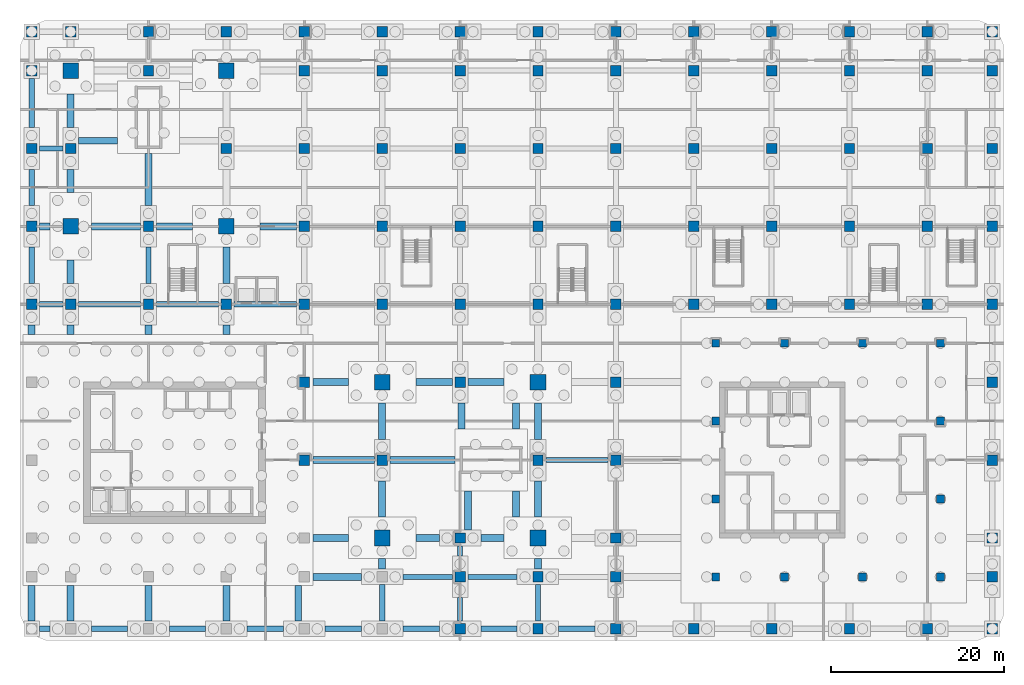
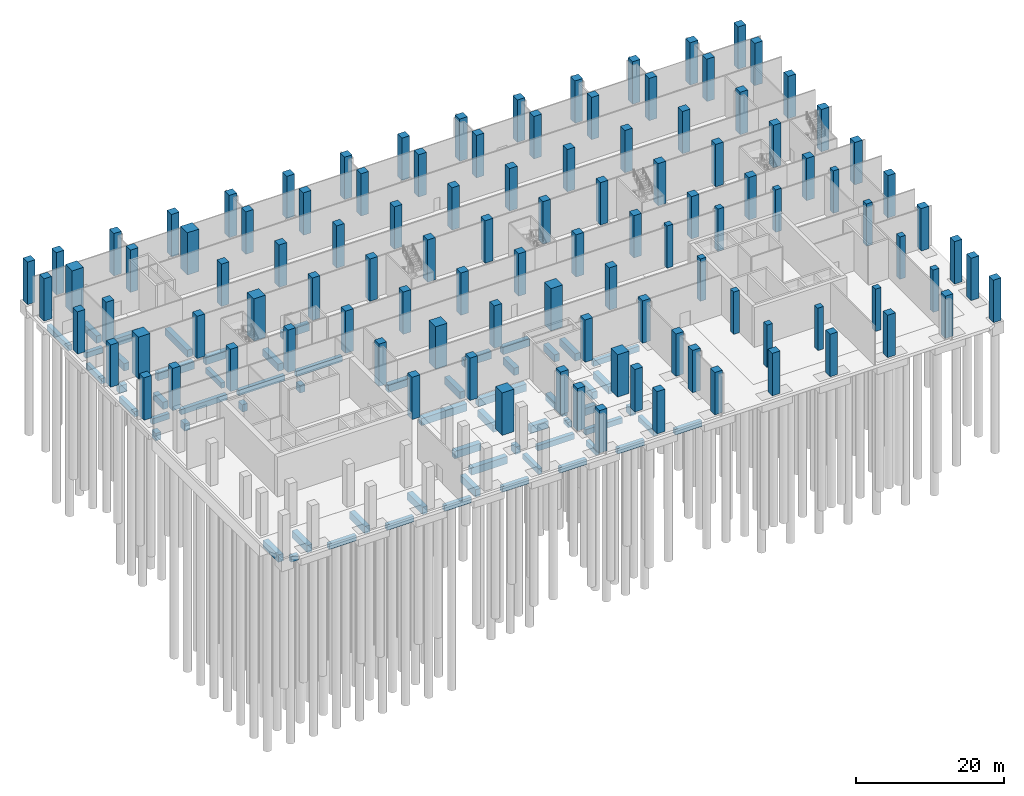
# One storey, part 4 of 23: 109 columns, 62 beams.
"""IFC4 building model written with IfcOpenShell, lengths in metres."""

from ifc_helpers import new_model, si_unit, direction, frame, origin, origin_2d, place, context, subcontext, project, spatial, rectangle, extrude, material, material_profile, profile_set, type_object, element, save


model = new_model("IFC4")

# Units and contexts
model_context = context("Model", 3, precision=1e-05, world=origin(), true_north=direction((0.0, 1.0)))
body_context = subcontext(model_context, "Body", "Model", "MODEL_VIEW")
ifc_project = project(units=[si_unit("LENGTHUNIT", "METRE"), si_unit("AREAUNIT", "SQUARE_METRE"), si_unit("VOLUMEUNIT", "CUBIC_METRE"), si_unit("PLANEANGLEUNIT", "RADIAN"), si_unit("MASSUNIT", "GRAM", prefix="KILO")], contexts=[model_context])

# Site, building, storey
site_placement = place(None, origin())
site = spatial("IfcSite", under=ifc_project, at=site_placement, CompositionType="ELEMENT")
building_placement = place(site_placement, origin())
building = spatial("IfcBuilding", under=site, at=building_placement, Name="Plateau Cross Towers", CompositionType="ELEMENT")
storey_placement = place(building_placement, frame((0.0, 0.0, -7.0)))
storey = spatial("IfcBuildingStorey", under=building, at=storey_placement, Name="B1", CompositionType="ELEMENT", Elevation=-7.0)

# Columns
ifc_material_1 = material(Name="Concrete C60/75", Category="concrete")
ifc_material_profile_1 = material_profile(ifc_material_1, rectangle(XDim=0.89990234375, YDim=0.89990234375, at=origin_2d()), Name="RC 900x900")
ifc_profile_set_1 = profile_set([ifc_material_profile_1], Name="Concrete C60/75")
column_type_1 = type_object("IfcColumnType", Name="Office column RC 900x900", PredefinedType="COLUMN", material=ifc_profile_set_1)
for number, where, z_axis, x_axis, name in (
    (1, (74.550048828125, -4.5, 0.0), (0.0, 0.0, 1.0), (1.0, 0.0, 0.0), "B-C746_-45 B1"),
    (2, (82.5, -4.5, 0.0), (0.0, 0.0, 1.0), (1.0, 0.0, 0.0), "B-C825_-45 B1"),
    (3, (91.5, -4.5, 0.0), (0.0, 0.0, 1.0), (1.0, 0.0, 0.0), "B-C915_-45 B1"),
    (4, (100.5, -4.5, 0.0), (0.0, 0.0, 1.0), (1.0, 0.0, 0.0), "B-C1005_-45 B1"),
    (5, (100.5, 4.5, 0.0), (0.0, 0.0, 1.0), (1.0, 0.0, 0.0), "B-C1005_45 B1"),
    (6, (100.5, 13.5, 0.0), (0.0, 0.0, 1.0), (1.0, 0.0, 0.0), "B-C1005_135 B1"),
    (7, (100.5, 22.5, 0.0), (0.0, 0.0, 1.0), (1.0, 0.0, 0.0), "B-C1005_225 B1"),
    (8, (91.5, 22.5, 0.0), (0.0, 0.0, 1.0), (1.0, 0.0, 0.0), "B-C915_225 B1"),
    (9, (82.5, 22.5, 0.0), (0.0, 0.0, 1.0), (1.0, 0.0, 0.0), "B-C825_225 B1"),
    (10, (74.550048828125, 22.5, 0.0), (0.0, 0.0, 1.0), (1.0, 0.0, 0.0), "B-C746_225 B1"),
    (11, (74.550048828125, 13.5, 0.0), (0.0, 0.0, 1.0), (1.0, 0.0, 0.0), "B-C746_135 B1"),
    (12, (74.550048828125, 4.5, 0.0), (0.0, 0.0, 1.0), (1.0, 0.0, 0.0), "B-C746_45 B1"),
):
    element("IfcColumn", number, at=place(storey_placement, frame(where, z_axis=z_axis, x_axis=x_axis)), inside=storey, type_object=column_type_1, Name=name, PredefinedType="COLUMN", context=body_context, shape_type="SweptSolid", body=[
        extrude(rectangle(XDim=0.89990234375, YDim=0.89990234375, at=origin_2d()), origin(), (0.0, 0.0, 1.0), 7.0),
    ])
ifc_material_profile_2 = material_profile(ifc_material_1, rectangle(XDim=1.199951171875, YDim=1.199951171875, at=origin_2d()), Name="RC 1200x1200")
ifc_profile_set_2 = profile_set([ifc_material_profile_2], Name="Concrete C60/75")
column_type_2 = type_object("IfcColumnType", Name="Podium column RC 1200x1200", PredefinedType="COLUMN", material=ifc_profile_set_2)
for number, where, z_axis, x_axis, name in (
    (13, (-4.5, 27.0, 0.0), (0.0, 0.0, 1.0), (1.0, 0.0, 0.0), "P-C-45_270 B1"),
    (14, (-4.5, 36.0, 0.0), (0.0, 0.0, 1.0), (1.0, 0.0, 0.0), "P-C-45_360 B1"),
    (15, (-4.5, 45.0, 0.0), (0.0, 0.0, 1.0), (1.0, 0.0, 0.0), "P-C-45_450 B1"),
    (16, (-4.5, 54.0, 0.0), (0.0, 0.0, 1.0), (1.0, 0.0, 0.0), "P-C-45_540 B1"),
    (17, (-4.5, 58.5, 0.0), (0.0, 0.0, 1.0), (1.0, 0.0, 0.0), "P-C-45_585 B1"),
    (18, (0.0, 27.0, 0.0), (0.0, 0.0, 1.0), (1.0, 0.0, 0.0), "P-C0_270 B1"),
    (19, (0.0, 45.0, 0.0), (0.0, 0.0, 1.0), (1.0, 0.0, 0.0), "P-C0_450 B1"),
    (20, (0.0, 58.5, 0.0), (0.0, 0.0, 1.0), (1.0, 0.0, 0.0), "P-C0_585 B1"),
    (21, (9.0, 27.0, 0.0), (0.0, 0.0, 1.0), (1.0, 0.0, 0.0), "P-C90_270 B1"),
    (22, (9.0, 36.0, 0.0), (0.0, 0.0, 1.0), (1.0, 0.0, 0.0), "P-C90_360 B1"),
    (23, (9.0, 54.0, 0.0), (0.0, 0.0, 1.0), (1.0, 0.0, 0.0), "P-C90_540 B1"),
    (24, (9.0, 58.5, 0.0), (0.0, 0.0, 1.0), (1.0, 0.0, 0.0), "P-C90_585 B1"),
    (25, (18.0, 27.0, 0.0), (0.0, 0.0, 1.0), (1.0, 0.0, 0.0), "P-C180_270 B1"),
    (26, (18.0, 45.0, 0.0), (0.0, 0.0, 1.0), (1.0, 0.0, 0.0), "P-C180_450 B1"),
    (27, (18.0, 58.5, 0.0), (0.0, 0.0, 1.0), (1.0, 0.0, 0.0), "P-C180_585 B1"),
    (28, (27.0, 9.0, 0.0), (0.0, 0.0, 1.0), (1.0, 0.0, 0.0), "P-C270_90 B1"),
    (29, (27.0, 18.0, 0.0), (0.0, 0.0, 1.0), (1.0, 0.0, 0.0), "P-C270_180 B1"),
    (30, (27.0, 27.0, 0.0), (0.0, 0.0, 1.0), (1.0, 0.0, 0.0), "P-C270_270 B1"),
    (31, (27.0, 36.0, 0.0), (0.0, 0.0, 1.0), (1.0, 0.0, 0.0), "P-C270_360 B1"),
    (32, (27.0, 45.0, 0.0), (0.0, 0.0, 1.0), (1.0, 0.0, 0.0), "P-C270_450 B1"),
    (33, (27.0, 54.0, 0.0), (0.0, 0.0, 1.0), (1.0, 0.0, 0.0), "P-C270_540 B1"),
    (34, (27.0, 58.5, 0.0), (0.0, 0.0, 1.0), (1.0, 0.0, 0.0), "P-C270_585 B1"),
    (35, (36.0, 9.0, 0.0), (0.0, 0.0, 1.0), (1.0, 0.0, 0.0), "P-C360_90 B1"),
    (36, (36.0, 27.0, 0.0), (0.0, 0.0, 1.0), (1.0, 0.0, 0.0), "P-C360_270 B1"),
    (37, (36.0, 36.0, 0.0), (0.0, 0.0, 1.0), (1.0, 0.0, 0.0), "P-C360_360 B1"),
    (38, (36.0, 45.0, 0.0), (0.0, 0.0, 1.0), (1.0, 0.0, 0.0), "P-C360_450 B1"),
    (39, (36.0, 54.0, 0.0), (0.0, 0.0, 1.0), (1.0, 0.0, 0.0), "P-C360_540 B1"),
    (40, (36.0, 58.5, 0.0), (0.0, 0.0, 1.0), (1.0, 0.0, 0.0), "P-C360_585 B1"),
    (41, (45.0, -10.5, 0.0), (0.0, 0.0, 1.0), (1.0, 0.0, 0.0), "P-C450_-105 B1"),
    (42, (45.0, -4.5, 0.0), (0.0, 0.0, 1.0), (1.0, 0.0, 0.0), "P-C450_-45 B1"),
    (43, (45.0, 0.0, 0.0), (0.0, 0.0, 1.0), (1.0, 0.0, 0.0), "P-C450_0 B1"),
    (44, (45.0, 18.0, 0.0), (0.0, 0.0, 1.0), (1.0, 0.0, 0.0), "P-C450_180 B1"),
    (45, (45.0, 27.0, 0.0), (0.0, 0.0, 1.0), (1.0, 0.0, 0.0), "P-C450_270 B1"),
    (46, (45.0, 36.0, 0.0), (0.0, 0.0, 1.0), (1.0, 0.0, 0.0), "P-C450_360 B1"),
    (47, (45.0, 45.0, 0.0), (0.0, 0.0, 1.0), (1.0, 0.0, 0.0), "P-C450_450 B1"),
    (48, (45.0, 54.0, 0.0), (0.0, 0.0, 1.0), (1.0, 0.0, 0.0), "P-C450_540 B1"),
    (49, (45.0, 58.5, 0.0), (0.0, 0.0, 1.0), (1.0, 0.0, 0.0), "P-C450_585 B1"),
    (50, (54.0, -10.5, 0.0), (0.0, 0.0, 1.0), (1.0, 0.0, 0.0), "P-C540_-105 B1"),
    (51, (54.0, -4.5, 0.0), (0.0, 0.0, 1.0), (1.0, 0.0, 0.0), "P-C540_-45 B1"),
    (52, (54.0, 9.0, 0.0), (0.0, 0.0, 1.0), (1.0, 0.0, 0.0), "P-C540_90 B1"),
    (53, (54.0, 27.0, 0.0), (0.0, 0.0, 1.0), (1.0, 0.0, 0.0), "P-C540_270 B1"),
    (54, (54.0, 36.0, 0.0), (0.0, 0.0, 1.0), (1.0, 0.0, 0.0), "P-C540_360 B1"),
    (55, (54.0, 45.0, 0.0), (0.0, 0.0, 1.0), (1.0, 0.0, 0.0), "P-C540_450 B1"),
    (56, (54.0, 54.0, 0.0), (0.0, 0.0, 1.0), (1.0, 0.0, 0.0), "P-C540_540 B1"),
    (57, (54.0, 58.5, 0.0), (0.0, 0.0, 1.0), (1.0, 0.0, 0.0), "P-C540_585 B1"),
    (58, (63.0, -10.5, 0.0), (0.0, 0.0, 1.0), (1.0, 0.0, 0.0), "P-C630_-105 B1"),
    (59, (63.0, -4.5, 0.0), (0.0, 0.0, 1.0), (1.0, 0.0, 0.0), "P-C630_-45 B1"),
    (60, (63.0, 0.0, 0.0), (0.0, 0.0, 1.0), (1.0, 0.0, 0.0), "P-C630_0 B1"),
    (61, (63.0, 9.0, 0.0), (0.0, 0.0, 1.0), (1.0, 0.0, 0.0), "P-C630_90 B1"),
    (62, (63.0, 18.0, 0.0), (0.0, 0.0, 1.0), (1.0, 0.0, 0.0), "P-C630_180 B1"),
    (63, (63.0, 27.0, 0.0), (0.0, 0.0, 1.0), (1.0, 0.0, 0.0), "P-C630_270 B1"),
    (64, (63.0, 36.0, 0.0), (0.0, 0.0, 1.0), (1.0, 0.0, 0.0), "P-C630_360 B1"),
    (65, (63.0, 45.0, 0.0), (0.0, 0.0, 1.0), (1.0, 0.0, 0.0), "P-C630_450 B1"),
    (66, (63.0, 54.0, 0.0), (0.0, 0.0, 1.0), (1.0, 0.0, 0.0), "P-C630_540 B1"),
    (67, (63.0, 58.5, 0.0), (0.0, 0.0, 1.0), (1.0, 0.0, 0.0), "P-C630_585 B1"),
    (68, (72.0, -10.5, 0.0), (0.0, 0.0, 1.0), (1.0, 0.0, 0.0), "P-C720_-105 B1"),
    (69, (72.0, 27.0, 0.0), (0.0, 0.0, 1.0), (1.0, 0.0, 0.0), "P-C720_270 B1"),
    (70, (72.0, 36.0, 0.0), (0.0, 0.0, 1.0), (1.0, 0.0, 0.0), "P-C720_360 B1"),
    (71, (72.0, 45.0, 0.0), (0.0, 0.0, 1.0), (1.0, 0.0, 0.0), "P-C720_450 B1"),
    (72, (72.0, 54.0, 0.0), (0.0, 0.0, 1.0), (1.0, 0.0, 0.0), "P-C720_540 B1"),
    (73, (72.0, 58.5, 0.0), (0.0, 0.0, 1.0), (1.0, 0.0, 0.0), "P-C720_585 B1"),
    (74, (81.0, -10.5, 0.0), (0.0, 0.0, 1.0), (1.0, 0.0, 0.0), "P-C810_-105 B1"),
    (75, (81.0, 27.0, 0.0), (0.0, 0.0, 1.0), (1.0, 0.0, 0.0), "P-C810_270 B1"),
    (76, (81.0, 36.0, 0.0), (0.0, 0.0, 1.0), (1.0, 0.0, 0.0), "P-C810_360 B1"),
    (77, (81.0, 45.0, 0.0), (0.0, 0.0, 1.0), (1.0, 0.0, 0.0), "P-C810_450 B1"),
    (78, (81.0, 54.0, 0.0), (0.0, 0.0, 1.0), (1.0, 0.0, 0.0), "P-C810_540 B1"),
    (79, (81.0, 58.5, 0.0), (0.0, 0.0, 1.0), (1.0, 0.0, 0.0), "P-C810_585 B1"),
    (80, (90.0, -10.5, 0.0), (0.0, 0.0, 1.0), (1.0, 0.0, 0.0), "P-C900_-105 B1"),
    (81, (90.0, 27.0, 0.0), (0.0, 0.0, 1.0), (1.0, 0.0, 0.0), "P-C900_270 B1"),
    (82, (90.0, 36.0, 0.0), (0.0, 0.0, 1.0), (1.0, 0.0, 0.0), "P-C900_360 B1"),
    (83, (90.0, 45.0, 0.0), (0.0, 0.0, 1.0), (1.0, 0.0, 0.0), "P-C900_450 B1"),
    (84, (90.0, 54.0, 0.0), (0.0, 0.0, 1.0), (1.0, 0.0, 0.0), "P-C900_540 B1"),
    (85, (90.0, 58.5, 0.0), (0.0, 0.0, 1.0), (1.0, 0.0, 0.0), "P-C900_585 B1"),
    (86, (99.0, -10.5, 0.0), (0.0, 0.0, 1.0), (1.0, 0.0, 0.0), "P-C990_-105 B1"),
    (87, (99.0, 27.0, 0.0), (0.0, 0.0, 1.0), (1.0, 0.0, 0.0), "P-C990_270 B1"),
    (88, (99.0, 36.0, 0.0), (0.0, 0.0, 1.0), (1.0, 0.0, 0.0), "P-C990_360 B1"),
    (89, (99.0, 45.0, 0.0), (0.0, 0.0, 1.0), (1.0, 0.0, 0.0), "P-C990_450 B1"),
    (90, (99.0, 54.0, 0.0), (0.0, 0.0, 1.0), (1.0, 0.0, 0.0), "P-C990_540 B1"),
    (91, (99.0, 58.5, 0.0), (0.0, 0.0, 1.0), (1.0, 0.0, 0.0), "P-C990_585 B1"),
    (92, (106.5, -10.5, 0.0), (0.0, 0.0, 1.0), (1.0, 0.0, 0.0), "P-C1065_-105 B1"),
    (93, (106.5, -4.5, 0.0), (0.0, 0.0, 1.0), (1.0, 0.0, 0.0), "P-C1065_-45 B1"),
    (94, (106.5, 0.0, 0.0), (0.0, 0.0, 1.0), (1.0, 0.0, 0.0), "P-C1065_0 B1"),
    (95, (106.5, 9.0, 0.0), (0.0, 0.0, 1.0), (1.0, 0.0, 0.0), "P-C1065_90 B1"),
    (96, (106.5, 18.0, 0.0), (0.0, 0.0, 1.0), (1.0, 0.0, 0.0), "P-C1065_180 B1"),
    (97, (106.5, 27.0, 0.0), (0.0, 0.0, 1.0), (1.0, 0.0, 0.0), "P-C1065_270 B1"),
    (98, (106.5, 36.0, 0.0), (0.0, 0.0, 1.0), (1.0, 0.0, 0.0), "P-C1065_360 B1"),
    (99, (106.5, 45.0, 0.0), (0.0, 0.0, 1.0), (1.0, 0.0, 0.0), "P-C1065_450 B1"),
    (100, (106.5, 54.0, 0.0), (0.0, 0.0, 1.0), (1.0, 0.0, 0.0), "P-C1065_540 B1"),
    (101, (106.5, 58.5, 0.0), (0.0, 0.0, 1.0), (1.0, 0.0, 0.0), "P-C1065_585 B1"),
):
    element("IfcColumn", number, at=place(storey_placement, frame(where, z_axis=z_axis, x_axis=x_axis)), inside=storey, type_object=column_type_2, Name=name, PredefinedType="COLUMN", context=body_context, shape_type="SweptSolid", body=[
        extrude(rectangle(XDim=1.199951171875, YDim=1.199951171875, at=origin_2d()), origin(), (0.0, 0.0, 1.0), 7.0),
    ])
ifc_material_profile_3 = material_profile(ifc_material_1, rectangle(XDim=1.800048828125, YDim=1.800048828125, at=origin_2d()), Name="RC 1800x1800")
ifc_profile_set_3 = profile_set([ifc_material_profile_3], Name="Concrete C60/75")
column_type_3 = type_object("IfcColumnType", Name="Transfer column RC 1800x1800", PredefinedType="COLUMN", material=ifc_profile_set_3)
for number, where, z_axis, x_axis, name in (
    (102, (0.0, 36.0, 0.0), (0.0, 0.0, 1.0), (1.0, 0.0, 0.0), "P-C0_360 B1"),
    (103, (0.0, 54.0, 0.0), (0.0, 0.0, 1.0), (1.0, 0.0, 0.0), "P-C0_540 B1"),
    (104, (18.0, 36.0, 0.0), (0.0, 0.0, 1.0), (1.0, 0.0, 0.0), "P-C180_360 B1"),
    (105, (18.0, 54.0, 0.0), (0.0, 0.0, 1.0), (1.0, 0.0, 0.0), "P-C180_540 B1"),
    (106, (36.0, 0.0, 0.0), (0.0, 0.0, 1.0), (1.0, 0.0, 0.0), "P-C360_0 B1"),
    (107, (36.0, 18.0, 0.0), (0.0, 0.0, 1.0), (1.0, 0.0, 0.0), "P-C360_180 B1"),
    (108, (54.0, 0.0, 0.0), (0.0, 0.0, 1.0), (1.0, 0.0, 0.0), "P-C540_0 B1"),
    (109, (54.0, 18.0, 0.0), (0.0, 0.0, 1.0), (1.0, 0.0, 0.0), "P-C540_180 B1"),
):
    element("IfcColumn", number, at=place(storey_placement, frame(where, z_axis=z_axis, x_axis=x_axis)), inside=storey, type_object=column_type_3, Name=name, PredefinedType="COLUMN", context=body_context, shape_type="SweptSolid", body=[
        extrude(rectangle(XDim=1.800048828125, YDim=1.800048828125, at=origin_2d()), origin(), (0.0, 0.0, 1.0), 7.0),
    ])

# Beams
ifc_material_2 = material(Name="Concrete C40/50", Category="concrete")
ifc_material_profile_4 = material_profile(ifc_material_2, rectangle(XDim=0.60009765625, YDim=0.89990234375, at=origin_2d()), Name="RC 600x900")
ifc_profile_set_4 = profile_set([ifc_material_profile_4], Name="Concrete C40/50")
beam_type_1 = type_object("IfcBeamType", Name="Ground tie beam RC 600x900", PredefinedType="BEAM", material=ifc_profile_set_4)
beam_1_placement = place(storey_placement, frame((-3.60009765625, -10.5, -0.949951171875), z_axis=(1.0, 0.0, 0.0), x_axis=(0.0, 1.0, 0.0)))
element("IfcBeam", 110, at=beam_1_placement, inside=storey, type_object=beam_type_1, Name="GB001@B1", PredefinedType="BEAM", context=body_context, shape_type="SweptSolid", body=[
    extrude(rectangle(XDim=0.60009765625, YDim=0.89990234375, at=origin_2d()), origin(), (0.0, 0.0, 1.0), 1.2001953125),
])
for number, where, z_axis, x_axis, name in (
    (111, (2.39990234375, -10.5, -0.949951171875), (1.0, 0.0, 0.0), (0.0, 1.0, 0.0), "GB002@B1"),
    (112, (11.39990234375, -10.5, -0.949951171875), (1.0, 0.0, 0.0), (0.0, 1.0, 0.0), "GB003@B1"),
    (113, (20.39990234375, -10.5, -0.949951171875), (1.0, 0.0, 0.0), (0.0, 1.0, 0.0), "GB004@B1"),
    (114, (29.39990234375, -10.5, -0.949951171875), (1.0, 0.0, 0.0), (0.0, 1.0, 0.0), "GB005@B1"),
    (115, (38.39990234375, -10.5, -0.949951171875), (1.0, 0.0, 0.0), (0.0, 1.0, 0.0), "GB006@B1"),
    (116, (47.39990234375, -10.5, -0.949951171875), (1.0, 0.0, 0.0), (0.0, 1.0, 0.0), "GB007@B1"),
    (117, (56.39990234375, -10.5, -0.949951171875), (1.0, 0.0, 0.0), (0.0, 1.0, 0.0), "GB008@B1"),
):
    element("IfcBeam", number, at=place(storey_placement, frame(where, z_axis=z_axis, x_axis=x_axis)), inside=storey, type_object=beam_type_1, Name=name, PredefinedType="BEAM", context=body_context, shape_type="SweptSolid", body=[
        extrude(rectangle(XDim=0.60009765625, YDim=0.89990234375, at=origin_2d()), origin(), (0.0, 0.0, 1.0), 4.2001953125),
    ])
for number, where, z_axis, x_axis, name in (
    (118, (38.39990234375, -4.5, -0.949951171875), (1.0, 0.0, 0.0), (0.0, 1.0, 0.0), "GB015@B1"),
    (119, (45.89990234375, -4.5, -0.949951171875), (1.0, 0.0, 0.0), (0.0, 1.0, 0.0), "GB016@B1"),
):
    element("IfcBeam", number, at=place(storey_placement, frame(where, z_axis=z_axis, x_axis=x_axis)), inside=storey, type_object=beam_type_1, Name=name, PredefinedType="BEAM", context=body_context, shape_type="SweptSolid", body=[
        extrude(rectangle(XDim=0.60009765625, YDim=0.89990234375, at=origin_2d()), origin(), (0.0, 0.0, 1.0), 5.7001953125),
    ])
beam_2_placement = place(storey_placement, frame((54.89990234375, 9.0, -0.949951171875), z_axis=(1.0, 0.0, 0.0), x_axis=(0.0, 1.0, 0.0)))
element("IfcBeam", 120, at=beam_2_placement, inside=storey, type_object=beam_type_1, Name="GB028@B1", PredefinedType="BEAM", context=body_context, shape_type="SweptSolid", body=[
    extrude(rectangle(XDim=0.60009765625, YDim=0.89990234375, at=origin_2d()), origin(), (0.0, 0.0, 1.0), 7.2001953125),
])
beam_3_placement = place(storey_placement, frame((-3.60009765625, 27.0, -0.949951171875), z_axis=(1.0, 0.0, 0.0), x_axis=(0.0, 1.0, 0.0)))
element("IfcBeam", 121, at=beam_3_placement, inside=storey, type_object=beam_type_1, Name="GB037@B1", PredefinedType="BEAM", context=body_context, shape_type="SweptSolid", body=[
    extrude(rectangle(XDim=0.60009765625, YDim=0.89990234375, at=origin_2d()), origin(), (0.0, 0.0, 1.0), 2.7001953125),
])
for number, where, z_axis, x_axis, name in (
    (122, (0.89990234375, 27.0, -0.949951171875), (1.0, 0.0, 0.0), (0.0, 1.0, 0.0), "GB038@B1"),
    (123, (9.89990234375, 27.0, -0.949951171875), (1.0, 0.0, 0.0), (0.0, 1.0, 0.0), "GB039@B1"),
    (124, (18.89990234375, 27.0, -0.949951171875), (1.0, 0.0, 0.0), (0.0, 1.0, 0.0), "GB040@B1"),
):
    element("IfcBeam", number, at=place(storey_placement, frame(where, z_axis=z_axis, x_axis=x_axis)), inside=storey, type_object=beam_type_1, Name=name, PredefinedType="BEAM", context=body_context, shape_type="SweptSolid", body=[
        extrude(rectangle(XDim=0.60009765625, YDim=0.89990234375, at=origin_2d()), origin(), (0.0, 0.0, 1.0), 7.2001953125),
    ])
beam_4_placement = place(storey_placement, frame((-3.60009765625, 45.0, -0.949951171875), z_axis=(1.0, 0.0, 0.0), x_axis=(0.0, 1.0, 0.0)))
element("IfcBeam", 125, at=beam_4_placement, inside=storey, type_object=beam_type_1, Name="GB063@B1", PredefinedType="BEAM", context=body_context, shape_type="SweptSolid", body=[
    extrude(rectangle(XDim=0.60009765625, YDim=0.89990234375, at=origin_2d()), origin(), (0.0, 0.0, 1.0), 2.7001953125),
])
for number, where, z_axis, x_axis, name in (
    (126, (-4.5, 29.39990234375, -0.949951171875), (0.0, 1.0, 0.0), (-1.0, 0.0, 0.0), "GB106@B1"),
    (127, (-4.5, 38.39990234375, -0.949951171875), (0.0, 1.0, 0.0), (-1.0, 0.0, 0.0), "GB107@B1"),
):
    element("IfcBeam", number, at=place(storey_placement, frame(where, z_axis=z_axis, x_axis=x_axis)), inside=storey, type_object=beam_type_1, Name=name, PredefinedType="BEAM", context=body_context, shape_type="SweptSolid", body=[
        extrude(rectangle(XDim=0.60009765625, YDim=0.89990234375, at=origin_2d()), origin(), (0.0, 0.0, 1.0), 4.2001953125),
    ])
beam_5_placement = place(storey_placement, frame((-4.5, 47.39990234375, -0.949951171875), z_axis=(0.0, 1.0, 0.0), x_axis=(-1.0, 0.0, 0.0)))
element("IfcBeam", 128, at=beam_5_placement, inside=storey, type_object=beam_type_1, Name="GB108@B1", PredefinedType="BEAM", context=body_context, shape_type="SweptSolid", body=[
    extrude(rectangle(XDim=0.60009765625, YDim=0.89990234375, at=origin_2d()), origin(), (0.0, 0.0, 1.0), 5.7001953125),
])
for number, where, z_axis, x_axis, name in (
    (129, (9.0, 29.39990234375, -0.949951171875), (0.0, 1.0, 0.0), (-1.0, 0.0, 0.0), "GB118@B1"),
    (130, (36.0, -9.60009765625, -0.949951171875), (0.0, 1.0, 0.0), (-1.0, 0.0, 0.0), "GB133@B1"),
):
    element("IfcBeam", number, at=place(storey_placement, frame(where, z_axis=z_axis, x_axis=x_axis)), inside=storey, type_object=beam_type_1, Name=name, PredefinedType="BEAM", context=body_context, shape_type="SweptSolid", body=[
        extrude(rectangle(XDim=0.60009765625, YDim=0.89990234375, at=origin_2d()), origin(), (0.0, 0.0, 1.0), 4.2001953125),
    ])
beam_6_placement = place(storey_placement, frame((45.0, -9.60009765625, -0.949951171875), z_axis=(0.0, 1.0, 0.0), x_axis=(-1.0, 0.0, 0.0)))
element("IfcBeam", 131, at=beam_6_placement, inside=storey, type_object=beam_type_1, Name="GB142@B1", PredefinedType="BEAM", context=body_context, shape_type="SweptSolid", body=[
    extrude(rectangle(XDim=0.60009765625, YDim=0.89990234375, at=origin_2d()), origin(), (0.0, 0.0, 1.0), 2.7001953125),
])
beam_7_placement = place(storey_placement, frame((45.0, -2.10009765625, -0.949951171875), z_axis=(0.0, 1.0, 0.0), x_axis=(-1.0, 0.0, 0.0)))
element("IfcBeam", 132, at=beam_7_placement, inside=storey, type_object=beam_type_1, Name="GB143@B1", PredefinedType="BEAM", context=body_context, shape_type="SweptSolid", body=[
    extrude(rectangle(XDim=0.60009765625, YDim=0.89990234375, at=origin_2d()), origin(), (0.0, 0.0, 1.0), 1.2001953125),
])
beam_8_placement = place(storey_placement, frame((54.0, -9.60009765625, -0.949951171875), z_axis=(0.0, 1.0, 0.0), x_axis=(-1.0, 0.0, 0.0)))
element("IfcBeam", 133, at=beam_8_placement, inside=storey, type_object=beam_type_1, Name="GB153@B1", PredefinedType="BEAM", context=body_context, shape_type="SweptSolid", body=[
    extrude(rectangle(XDim=0.60009765625, YDim=0.89990234375, at=origin_2d()), origin(), (0.0, 0.0, 1.0), 4.2001953125),
])
ifc_material_profile_5 = material_profile(ifc_material_2, rectangle(XDim=0.800048828125, YDim=1.199951171875, at=origin_2d()), Name="RC 800x1200")
ifc_profile_set_5 = profile_set([ifc_material_profile_5], Name="Concrete C40/50")
beam_type_2 = type_object("IfcBeamType", Name="Ground tie beam RC 800x1200", PredefinedType="BEAM", material=ifc_profile_set_5)
beam_9_placement = place(storey_placement, frame((28.0, -4.5, -1.10009765625), z_axis=(1.0, 0.0, 0.0), x_axis=(0.0, 1.0, 0.0)))
element("IfcBeam", 134, at=beam_9_placement, inside=storey, type_object=beam_type_2, Name="GB014@B1", PredefinedType="BEAM", context=body_context, shape_type="SweptSolid", body=[
    extrude(rectangle(XDim=0.800048828125, YDim=1.199951171875, at=origin_2d()), origin(), (0.0, 0.0, 1.0), 5.60009765625),
])
beam_10_placement = place(storey_placement, frame((28.0, 0.0, -1.10009765625), z_axis=(1.0, 0.0, 0.0), x_axis=(0.0, 1.0, 0.0)))
element("IfcBeam", 135, at=beam_10_placement, inside=storey, type_object=beam_type_2, Name="GB020@B1", PredefinedType="BEAM", context=body_context, shape_type="SweptSolid", body=[
    extrude(rectangle(XDim=0.800048828125, YDim=1.199951171875, at=origin_2d()), origin(), (0.0, 0.0, 1.0), 4.10009765625),
])
for number, where, z_axis, x_axis, name in (
    (136, (39.89990234375, 0.0, -1.10009765625), (1.0, 0.0, 0.0), (0.0, 1.0, 0.0), "GB021@B1"),
    (137, (47.39990234375, 0.0, -1.10009765625), (1.0, 0.0, 0.0), (0.0, 1.0, 0.0), "GB022@B1"),
):
    element("IfcBeam", number, at=place(storey_placement, frame(where, z_axis=z_axis, x_axis=x_axis)), inside=storey, type_object=beam_type_2, Name=name, PredefinedType="BEAM", context=body_context, shape_type="SweptSolid", body=[
        extrude(rectangle(XDim=0.800048828125, YDim=1.199951171875, at=origin_2d()), origin(), (0.0, 0.0, 1.0), 2.7001953125),
    ])
beam_11_placement = place(storey_placement, frame((28.0, 9.0, -1.10009765625), z_axis=(1.0, 0.0, 0.0), x_axis=(0.0, 1.0, 0.0)))
element("IfcBeam", 138, at=beam_11_placement, inside=storey, type_object=beam_type_2, Name="GB026@B1", PredefinedType="BEAM", context=body_context, shape_type="SweptSolid", body=[
    extrude(rectangle(XDim=0.800048828125, YDim=1.199951171875, at=origin_2d()), origin(), (0.0, 0.0, 1.0), 7.10009765625),
])
beam_12_placement = place(storey_placement, frame((36.89990234375, 9.0, -1.10009765625), z_axis=(1.0, 0.0, 0.0), x_axis=(0.0, 1.0, 0.0)))
element("IfcBeam", 139, at=beam_12_placement, inside=storey, type_object=beam_type_2, Name="GB027@B1", PredefinedType="BEAM", context=body_context, shape_type="SweptSolid", body=[
    extrude(rectangle(XDim=0.800048828125, YDim=1.199951171875, at=origin_2d()), origin(), (0.0, 0.0, 1.0), 7.5),
])
beam_13_placement = place(storey_placement, frame((28.0, 18.0, -1.10009765625), z_axis=(1.0, 0.0, 0.0), x_axis=(0.0, 1.0, 0.0)))
element("IfcBeam", 140, at=beam_13_placement, inside=storey, type_object=beam_type_2, Name="GB031@B1", PredefinedType="BEAM", context=body_context, shape_type="SweptSolid", body=[
    extrude(rectangle(XDim=0.800048828125, YDim=1.199951171875, at=origin_2d()), origin(), (0.0, 0.0, 1.0), 4.10009765625),
])
for number, where, z_axis, x_axis, name in (
    (141, (39.89990234375, 18.0, -1.10009765625), (1.0, 0.0, 0.0), (0.0, 1.0, 0.0), "GB032@B1"),
    (142, (45.89990234375, 18.0, -1.10009765625), (1.0, 0.0, 0.0), (0.0, 1.0, 0.0), "GB033@B1"),
):
    element("IfcBeam", number, at=place(storey_placement, frame(where, z_axis=z_axis, x_axis=x_axis)), inside=storey, type_object=beam_type_2, Name=name, PredefinedType="BEAM", context=body_context, shape_type="SweptSolid", body=[
        extrude(rectangle(XDim=0.800048828125, YDim=1.199951171875, at=origin_2d()), origin(), (0.0, 0.0, 1.0), 4.2001953125),
    ])
beam_14_placement = place(storey_placement, frame((-3.60009765625, 36.0, -1.10009765625), z_axis=(1.0, 0.0, 0.0), x_axis=(0.0, 1.0, 0.0)))
element("IfcBeam", 143, at=beam_14_placement, inside=storey, type_object=beam_type_2, Name="GB050@B1", PredefinedType="BEAM", context=body_context, shape_type="SweptSolid", body=[
    extrude(rectangle(XDim=0.800048828125, YDim=1.199951171875, at=origin_2d()), origin(), (0.0, 0.0, 1.0), 1.2001953125),
])
beam_15_placement = place(storey_placement, frame((2.39990234375, 36.0, -1.10009765625), z_axis=(1.0, 0.0, 0.0), x_axis=(0.0, 1.0, 0.0)))
element("IfcBeam", 144, at=beam_15_placement, inside=storey, type_object=beam_type_2, Name="GB051@B1", PredefinedType="BEAM", context=body_context, shape_type="SweptSolid", body=[
    extrude(rectangle(XDim=0.800048828125, YDim=1.199951171875, at=origin_2d()), origin(), (0.0, 0.0, 1.0), 5.7001953125),
])
for number, where, z_axis, x_axis, name in (
    (145, (9.89990234375, 36.0, -1.10009765625), (1.0, 0.0, 0.0), (0.0, 1.0, 0.0), "GB052@B1"),
    (146, (21.89990234375, 36.0, -1.10009765625), (1.0, 0.0, 0.0), (0.0, 1.0, 0.0), "GB053@B1"),
):
    element("IfcBeam", number, at=place(storey_placement, frame(where, z_axis=z_axis, x_axis=x_axis)), inside=storey, type_object=beam_type_2, Name=name, PredefinedType="BEAM", context=body_context, shape_type="SweptSolid", body=[
        extrude(rectangle(XDim=0.800048828125, YDim=1.199951171875, at=origin_2d()), origin(), (0.0, 0.0, 1.0), 4.2001953125),
    ])
beam_16_placement = place(storey_placement, frame((0.89990234375, 45.89990234375, -1.10009765625), z_axis=(1.0, 0.0, 0.0), x_axis=(0.0, 1.0, 0.0)))
element("IfcBeam", 147, at=beam_16_placement, inside=storey, type_object=beam_type_2, Name="GB074@B1", PredefinedType="BEAM", context=body_context, shape_type="SweptSolid", body=[
    extrude(rectangle(XDim=0.800048828125, YDim=1.199951171875, at=origin_2d()), origin(), (0.0, 0.0, 1.0), 4.5),
])
beam_17_placement = place(storey_placement, frame((-4.5, -9.60009765625, -1.10009765625), z_axis=(0.0, 1.0, 0.0), x_axis=(-1.0, 0.0, 0.0)))
element("IfcBeam", 148, at=beam_17_placement, inside=storey, type_object=beam_type_2, Name="GB104@B1", PredefinedType="BEAM", context=body_context, shape_type="SweptSolid", body=[
    extrude(rectangle(XDim=0.800048828125, YDim=1.199951171875, at=origin_2d()), origin(), (0.0, 0.0, 1.0), 4.10009765625),
])
beam_18_placement = place(storey_placement, frame((-4.5, 23.5, -1.10009765625), z_axis=(0.0, 1.0, 0.0), x_axis=(-1.0, 0.0, 0.0)))
element("IfcBeam", 149, at=beam_18_placement, inside=storey, type_object=beam_type_2, Name="GB105@B1", PredefinedType="BEAM", context=body_context, shape_type="SweptSolid", body=[
    extrude(rectangle(XDim=0.800048828125, YDim=1.199951171875, at=origin_2d()), origin(), (0.0, 0.0, 1.0), 1.10009765625),
])
beam_19_placement = place(storey_placement, frame((0.0, -9.60009765625, -1.10009765625), z_axis=(0.0, 1.0, 0.0), x_axis=(-1.0, 0.0, 0.0)))
element("IfcBeam", 150, at=beam_19_placement, inside=storey, type_object=beam_type_2, Name="GB110@B1", PredefinedType="BEAM", context=body_context, shape_type="SweptSolid", body=[
    extrude(rectangle(XDim=0.800048828125, YDim=1.199951171875, at=origin_2d()), origin(), (0.0, 0.0, 1.0), 4.10009765625),
])
beam_20_placement = place(storey_placement, frame((0.0, 23.5, -1.10009765625), z_axis=(0.0, 1.0, 0.0), x_axis=(-1.0, 0.0, 0.0)))
element("IfcBeam", 151, at=beam_20_placement, inside=storey, type_object=beam_type_2, Name="GB111@B1", PredefinedType="BEAM", context=body_context, shape_type="SweptSolid", body=[
    extrude(rectangle(XDim=0.800048828125, YDim=1.199951171875, at=origin_2d()), origin(), (0.0, 0.0, 1.0), 1.10009765625),
])
for number, where, z_axis, x_axis, name in (
    (152, (0.0, 29.39990234375, -1.10009765625), (0.0, 1.0, 0.0), (-1.0, 0.0, 0.0), "GB112@B1"),
    (153, (0.0, 39.89990234375, -1.10009765625), (0.0, 1.0, 0.0), (-1.0, 0.0, 0.0), "GB113@B1"),
):
    element("IfcBeam", number, at=place(storey_placement, frame(where, z_axis=z_axis, x_axis=x_axis)), inside=storey, type_object=beam_type_2, Name=name, PredefinedType="BEAM", context=body_context, shape_type="SweptSolid", body=[
        extrude(rectangle(XDim=0.800048828125, YDim=1.199951171875, at=origin_2d()), origin(), (0.0, 0.0, 1.0), 2.7001953125),
    ])
beam_21_placement = place(storey_placement, frame((0.0, 47.39990234375, -1.10009765625), z_axis=(0.0, 1.0, 0.0), x_axis=(-1.0, 0.0, 0.0)))
element("IfcBeam", 154, at=beam_21_placement, inside=storey, type_object=beam_type_2, Name="GB114@B1", PredefinedType="BEAM", context=body_context, shape_type="SweptSolid", body=[
    extrude(rectangle(XDim=0.800048828125, YDim=1.199951171875, at=origin_2d()), origin(), (0.0, 0.0, 1.0), 3.900146484375),
])
beam_22_placement = place(storey_placement, frame((9.0, -9.60009765625, -1.10009765625), z_axis=(0.0, 1.0, 0.0), x_axis=(-1.0, 0.0, 0.0)))
element("IfcBeam", 155, at=beam_22_placement, inside=storey, type_object=beam_type_2, Name="GB116@B1", PredefinedType="BEAM", context=body_context, shape_type="SweptSolid", body=[
    extrude(rectangle(XDim=0.800048828125, YDim=1.199951171875, at=origin_2d()), origin(), (0.0, 0.0, 1.0), 4.10009765625),
])
beam_23_placement = place(storey_placement, frame((9.0, 23.5, -1.10009765625), z_axis=(0.0, 1.0, 0.0), x_axis=(-1.0, 0.0, 0.0)))
element("IfcBeam", 156, at=beam_23_placement, inside=storey, type_object=beam_type_2, Name="GB117@B1", PredefinedType="BEAM", context=body_context, shape_type="SweptSolid", body=[
    extrude(rectangle(XDim=0.800048828125, YDim=1.199951171875, at=origin_2d()), origin(), (0.0, 0.0, 1.0), 1.10009765625),
])
beam_24_placement = place(storey_placement, frame((9.0, 38.39990234375, -1.10009765625), z_axis=(0.0, 1.0, 0.0), x_axis=(-1.0, 0.0, 0.0)))
element("IfcBeam", 157, at=beam_24_placement, inside=storey, type_object=beam_type_2, Name="GB119@B1", PredefinedType="BEAM", context=body_context, shape_type="SweptSolid", body=[
    extrude(rectangle(XDim=0.800048828125, YDim=1.199951171875, at=origin_2d()), origin(), (0.0, 0.0, 1.0), 6.0),
])
beam_25_placement = place(storey_placement, frame((18.0, -9.60009765625, -1.10009765625), z_axis=(0.0, 1.0, 0.0), x_axis=(-1.0, 0.0, 0.0)))
element("IfcBeam", 158, at=beam_25_placement, inside=storey, type_object=beam_type_2, Name="GB121@B1", PredefinedType="BEAM", context=body_context, shape_type="SweptSolid", body=[
    extrude(rectangle(XDim=0.800048828125, YDim=1.199951171875, at=origin_2d()), origin(), (0.0, 0.0, 1.0), 4.10009765625),
])
beam_26_placement = place(storey_placement, frame((18.0, 23.5, -1.10009765625), z_axis=(0.0, 1.0, 0.0), x_axis=(-1.0, 0.0, 0.0)))
element("IfcBeam", 159, at=beam_26_placement, inside=storey, type_object=beam_type_2, Name="GB122@B1", PredefinedType="BEAM", context=body_context, shape_type="SweptSolid", body=[
    extrude(rectangle(XDim=0.800048828125, YDim=1.199951171875, at=origin_2d()), origin(), (0.0, 0.0, 1.0), 1.10009765625),
])
beam_27_placement = place(storey_placement, frame((18.0, 29.39990234375, -1.10009765625), z_axis=(0.0, 1.0, 0.0), x_axis=(-1.0, 0.0, 0.0)))
element("IfcBeam", 160, at=beam_27_placement, inside=storey, type_object=beam_type_2, Name="GB123@B1", PredefinedType="BEAM", context=body_context, shape_type="SweptSolid", body=[
    extrude(rectangle(XDim=0.800048828125, YDim=1.199951171875, at=origin_2d()), origin(), (0.0, 0.0, 1.0), 4.2001953125),
])
beam_28_placement = place(storey_placement, frame((26.300048828125, -9.60009765625, -1.10009765625), z_axis=(0.0, 1.0, 0.0), x_axis=(-1.0, 0.0, 0.0)))
element("IfcBeam", 161, at=beam_28_placement, inside=storey, type_object=beam_type_2, Name="GB127@B1", PredefinedType="BEAM", context=body_context, shape_type="SweptSolid", body=[
    extrude(rectangle(XDim=0.800048828125, YDim=1.199951171875, at=origin_2d()), origin(), (0.0, 0.0, 1.0), 4.10009765625),
])
beam_29_placement = place(storey_placement, frame((36.0, -3.60009765625, -1.10009765625), z_axis=(0.0, 1.0, 0.0), x_axis=(-1.0, 0.0, 0.0)))
element("IfcBeam", 162, at=beam_29_placement, inside=storey, type_object=beam_type_2, Name="GB134@B1", PredefinedType="BEAM", context=body_context, shape_type="SweptSolid", body=[
    extrude(rectangle(XDim=0.800048828125, YDim=1.199951171875, at=origin_2d()), origin(), (0.0, 0.0, 1.0), 1.2001953125),
])
for number, where, z_axis, x_axis, name in (
    (163, (36.0, 2.39990234375, -1.10009765625), (0.0, 1.0, 0.0), (-1.0, 0.0, 0.0), "GB135@B1"),
    (164, (36.0, 11.39990234375, -1.10009765625), (0.0, 1.0, 0.0), (-1.0, 0.0, 0.0), "GB136@B1"),
):
    element("IfcBeam", number, at=place(storey_placement, frame(where, z_axis=z_axis, x_axis=x_axis)), inside=storey, type_object=beam_type_2, Name=name, PredefinedType="BEAM", context=body_context, shape_type="SweptSolid", body=[
        extrude(rectangle(XDim=0.800048828125, YDim=1.199951171875, at=origin_2d()), origin(), (0.0, 0.0, 1.0), 4.2001953125),
    ])
beam_30_placement = place(storey_placement, frame((45.14990234375, 12.60009765625, -1.10009765625), z_axis=(0.0, 1.0, 0.0), x_axis=(-1.0, 0.0, 0.0)))
element("IfcBeam", 165, at=beam_30_placement, inside=storey, type_object=beam_type_2, Name="GB149@B1", PredefinedType="BEAM", context=body_context, shape_type="SweptSolid", body=[
    extrude(rectangle(XDim=0.800048828125, YDim=1.199951171875, at=origin_2d()), origin(), (0.0, 0.0, 1.0), 3.0),
])
beam_31_placement = place(storey_placement, frame((45.89990234375, 0.89990234375, -1.10009765625), z_axis=(0.0, 1.0, 0.0), x_axis=(-1.0, 0.0, 0.0)))
element("IfcBeam", 166, at=beam_31_placement, inside=storey, type_object=beam_type_2, Name="GB150@B1", PredefinedType="BEAM", context=body_context, shape_type="SweptSolid", body=[
    extrude(rectangle(XDim=0.800048828125, YDim=1.199951171875, at=origin_2d()), origin(), (0.0, 0.0, 1.0), 4.5),
])
for number, where, z_axis, x_axis, name in (
    (167, (51.449951171875, 2.39990234375, -1.10009765625), (0.0, 1.0, 0.0), (-1.0, 0.0, 0.0), "GB151@B1"),
    (168, (51.449951171875, 12.60009765625, -1.10009765625), (0.0, 1.0, 0.0), (-1.0, 0.0, 0.0), "GB152@B1"),
):
    element("IfcBeam", number, at=place(storey_placement, frame(where, z_axis=z_axis, x_axis=x_axis)), inside=storey, type_object=beam_type_2, Name=name, PredefinedType="BEAM", context=body_context, shape_type="SweptSolid", body=[
        extrude(rectangle(XDim=0.800048828125, YDim=1.199951171875, at=origin_2d()), origin(), (0.0, 0.0, 1.0), 3.0),
    ])
beam_32_placement = place(storey_placement, frame((54.0, -3.60009765625, -1.10009765625), z_axis=(0.0, 1.0, 0.0), x_axis=(-1.0, 0.0, 0.0)))
element("IfcBeam", 169, at=beam_32_placement, inside=storey, type_object=beam_type_2, Name="GB154@B1", PredefinedType="BEAM", context=body_context, shape_type="SweptSolid", body=[
    extrude(rectangle(XDim=0.800048828125, YDim=1.199951171875, at=origin_2d()), origin(), (0.0, 0.0, 1.0), 1.2001953125),
])
for number, where, z_axis, x_axis, name in (
    (170, (54.0, 2.39990234375, -1.10009765625), (0.0, 1.0, 0.0), (-1.0, 0.0, 0.0), "GB155@B1"),
    (171, (54.0, 11.39990234375, -1.10009765625), (0.0, 1.0, 0.0), (-1.0, 0.0, 0.0), "GB156@B1"),
):
    element("IfcBeam", number, at=place(storey_placement, frame(where, z_axis=z_axis, x_axis=x_axis)), inside=storey, type_object=beam_type_2, Name=name, PredefinedType="BEAM", context=body_context, shape_type="SweptSolid", body=[
        extrude(rectangle(XDim=0.800048828125, YDim=1.199951171875, at=origin_2d()), origin(), (0.0, 0.0, 1.0), 4.2001953125),
    ])

save(model, "model.ifc")
